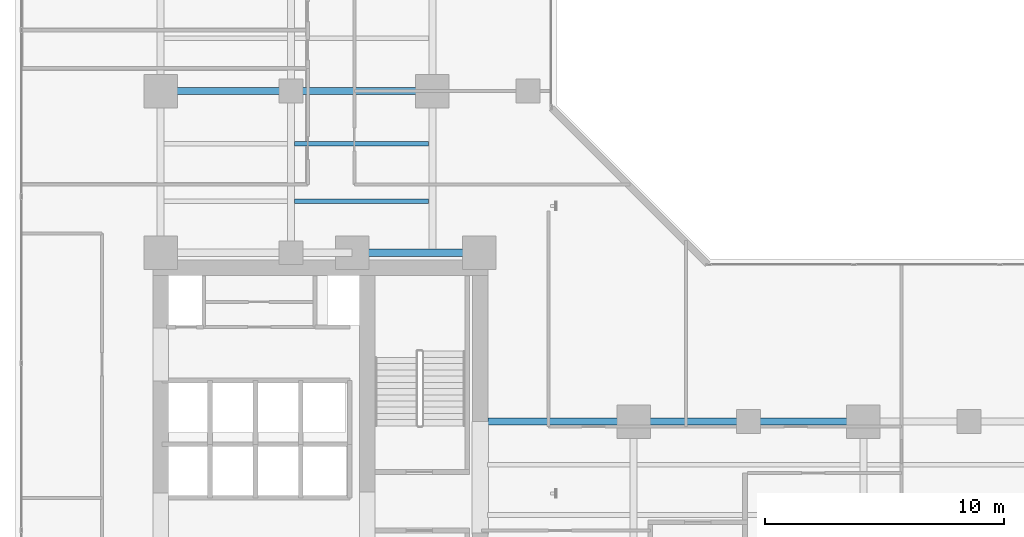
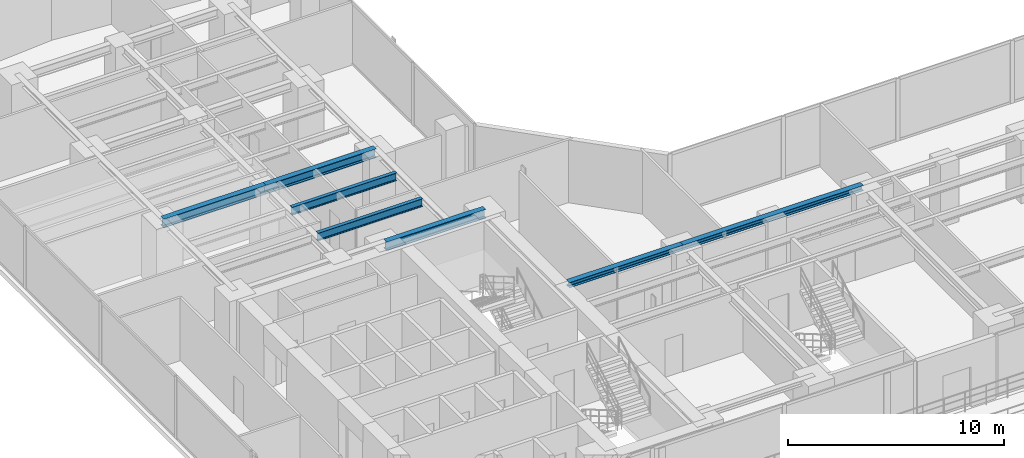
# One storey, part 7 of 26: 7 beams.
"""IFC4 building model written with IfcOpenShell, lengths in metres."""

import ifcopenshell
import ifcopenshell.guid

model = None  # the IFC model being written
_history = None  # IfcOwnerHistory: only IFC2X3 demands one
_inside = {}  # id of a spatial element -> (the spatial element, [elements in it])
_under = {}  # id of a project, library or spatial element -> (it, [spatial elements below it])
_declared = {}  # id of a project -> (the project, [libraries it declares])
_typed = {}  # id of a type object -> (the type object, [elements of that type])
_made_of = {}  # id of a material, layer set ... -> (it, [elements and type objects made of it])


def new_model(schema):
    """Start an empty IFC model of exactly this schema.

    Asked for "IFC4X3", IfcOpenShell would pick the latest addendum, in which some entities
    have other attributes; the version numbers below select the first issue.
    IFC2X3 requires an IfcOwnerHistory on every rooted entity: one is made here for all.
    """
    global model, _history
    if schema == "IFC4X3":
        model = ifcopenshell.file(schema_version=(4, 3, 0, 0))
    else:
        model = ifcopenshell.file(schema=schema)
    _inside.clear()
    _under.clear()
    _declared.clear()
    _typed.clear()
    _made_of.clear()
    _history = None
    if model.schema == "IFC2X3":
        org = make("IfcOrganization", Name="unknown")
        user = make(
            "IfcPersonAndOrganization",
            ThePerson=make("IfcPerson", FamilyName="unknown"),
            TheOrganization=org,
        )
        app = make(
            "IfcApplication",
            ApplicationDeveloper=org,
            Version="unknown",
            ApplicationFullName="unknown",
            ApplicationIdentifier="unknown",
        )
        _history = make(
            "IfcOwnerHistory",
            OwningUser=user,
            OwningApplication=app,
            ChangeAction="ADDED",
            CreationDate=0,
        )
    return model


def make(cls, **values):
    """One entity of the class cls with the attributes given. An attribute that is None is left unset."""
    return model.create_entity(
        cls, **{name: value for name, value in values.items() if value is not None}
    )


def rooted(cls, **values):
    """An entity with a GlobalId (a new one), such as an element, a storey or a relation."""
    return make(cls, GlobalId=ifcopenshell.guid.new(), OwnerHistory=_history, **values)


def si_unit(unit_type, name, prefix=None):
    """IfcSIUnit, for example si_unit("LENGTHUNIT", "METRE", prefix="MILLI")."""
    return make("IfcSIUnit", UnitType=unit_type, Prefix=prefix, Name=name)


def assignment(units):
    """IfcUnitAssignment: the units of a project."""
    return None if units is None else make("IfcUnitAssignment", Units=units)


def point(xyz):
    """IfcCartesianPoint."""
    return None if xyz is None else make("IfcCartesianPoint", Coordinates=xyz)


def direction(xyz):
    """IfcDirection."""
    return None if xyz is None else make("IfcDirection", DirectionRatios=xyz)


def frame(location, z_axis=None, x_axis=None):
    """IfcAxis2Placement3D, a coordinate frame: its origin and axes. An axis left out is left unset."""
    return make(
        "IfcAxis2Placement3D",
        Location=point(location),
        Axis=direction(z_axis),
        RefDirection=direction(x_axis),
    )


def frame_2d(location, x_axis=None):
    """IfcAxis2Placement2D, a coordinate frame in the plane: its origin and x axis."""
    return make(
        "IfcAxis2Placement2D", Location=point(location), RefDirection=direction(x_axis)
    )


def origin():
    """The frame at (0, 0, 0) with its axes left unset."""
    return frame((0.0, 0.0, 0.0))


def origin_2d():
    """The frame at (0, 0) in the plane with its x axis left unset."""
    return frame_2d((0.0, 0.0))


def place(relative_to, where):
    """IfcLocalPlacement: puts the frame where relative to a parent placement (None: the world)."""
    return make(
        "IfcLocalPlacement", PlacementRelTo=relative_to, RelativePlacement=where
    )


def context(
    kind, dimensions, precision=None, world=None, true_north=None, identifier=None
):
    """IfcGeometricRepresentationContext, for example the 3D "Model" context."""
    return make(
        "IfcGeometricRepresentationContext",
        ContextIdentifier=identifier,
        ContextType=kind,
        CoordinateSpaceDimension=dimensions,
        Precision=precision,
        WorldCoordinateSystem=world,
        TrueNorth=true_north,
    )


def subcontext(parent, identifier, kind, view, scale=None):
    """IfcGeometricRepresentationSubContext, for example "Body" below "Model"."""
    return make(
        "IfcGeometricRepresentationSubContext",
        ContextIdentifier=identifier,
        ContextType=kind,
        ParentContext=parent,
        TargetScale=scale,
        TargetView=view,
    )


def project(units=None, contexts=None):
    """IfcProject with its units and contexts."""
    return rooted(
        "IfcProject",
        Name="project",
        RepresentationContexts=contexts,
        UnitsInContext=assignment(units),
    )


def spatial(cls, under=None, at=None, **own):
    """A site, building, storey or space (cls), placed at a placement, below another one or the project."""
    s = rooted(cls, ObjectPlacement=at, **own)
    if under is not None:
        _under.setdefault(under.id(), (under, []))[1].append(s)
    return s


def profile(cls, at=None, kind="AREA", **sizes):
    """A parametric profile (cls). Its sizes go by their IFC names, for example OverallWidth=200.0."""
    return make(cls, ProfileType=kind, Position=at, **sizes)


def i_section(**sizes):
    """IfcIShapeProfileDef."""
    return profile("IfcIShapeProfileDef", **sizes)


def extrude(swept, where, along, depth):
    """IfcExtrudedAreaSolid: the profile swept, set in the frame where, extruded along a direction by depth."""
    return make(
        "IfcExtrudedAreaSolid",
        SweptArea=swept,
        Position=where,
        ExtrudedDirection=direction(along),
        Depth=depth,
    )


def shape(context_of_items, identifier, shape_type, items):
    """IfcShapeRepresentation: the items that make up one representation, for example the "Body"."""
    return make(
        "IfcShapeRepresentation",
        ContextOfItems=context_of_items,
        RepresentationIdentifier=identifier,
        RepresentationType=shape_type,
        Items=items,
    )


def material(Name=None, Category=None):
    """IfcMaterial."""
    return make("IfcMaterial", Name=Name, Category=Category)


def material_profile(
    of_material, cross_section, Name=None, Category=None, Priority=None
):
    """IfcMaterialProfile: a cross section and its material."""
    return make(
        "IfcMaterialProfile",
        Name=Name,
        Material=of_material,
        Profile=cross_section,
        Priority=Priority,
        Category=Category,
    )


def profile_set(profiles, Name=None, composite=None):
    """IfcMaterialProfileSet."""
    return make(
        "IfcMaterialProfileSet",
        Name=Name,
        MaterialProfiles=profiles,
        CompositeProfile=composite,
    )


def made_of(thing, what):
    """Note that an element or type object is made of a material, layer set ...; save() writes the relation."""
    if what is not None:
        _made_of.setdefault(what.id(), (what, []))[1].append(thing)
    return thing


def type_object(cls, material=None, **own):
    """A type object (cls), such as IfcWallType, which elements share."""
    return made_of(rooted(cls, **own), material)


def element(
    cls,
    number,
    at=None,
    inside=None,
    cuts=None,
    type_object=None,
    material=None,
    context=None,
    identifier="Body",
    shape_type=None,
    held_by="IfcProductDefinitionShape",
    body=None,
    shapes=None,
    **own,
):
    """One element of the class cls, such as IfcWall. Its Tag is "e" and its number.

    at: its placement. inside: the storey or other place that contains it. cuts: it is an
    opening in that element (IfcRelVoidsElement). A single representation is given by context,
    identifier, shape_type and body (its items); several are given by shapes. held_by: the class
    of the entity that holds the representations. save() writes the other relations.
    """
    e = rooted(cls, Tag="e%d" % number, ObjectPlacement=at, **own)
    if body is not None:
        shapes = [shape(context, identifier, shape_type, body)]
    if shapes is not None:
        e.Representation = make(held_by, Representations=shapes)
    if inside is not None:
        _inside.setdefault(inside.id(), (inside, []))[1].append(e)
    if cuts is not None:
        rooted(
            "IfcRelVoidsElement", RelatingBuildingElement=cuts, RelatedOpeningElement=e
        )
    if type_object is not None:
        _typed.setdefault(type_object.id(), (type_object, []))[1].append(e)
    return made_of(e, material)


def aggregate(whole, parts):
    """IfcRelAggregates: a whole, such as a stair, and the parts it consists of."""
    return rooted("IfcRelAggregates", RelatingObject=whole, RelatedObjects=parts)


def save(model, path):
    """Write the relations noted so far, then the file.

    IfcRelAggregates (storeys below a building ...), IfcRelContainedInSpatialStructure (elements
    in a storey), IfcRelDefinesByType, IfcRelAssociatesMaterial and IfcRelDeclares: one each for
    every whole, place, type object, material and project.
    """
    for whole, parts in _under.values():
        aggregate(whole, parts)
    for where, things in _inside.values():
        rooted(
            "IfcRelContainedInSpatialStructure",
            RelatedElements=things,
            RelatingStructure=where,
        )
    for kind, things in _typed.values():
        rooted("IfcRelDefinesByType", RelatedObjects=things, RelatingType=kind)
    for what, things in _made_of.values():
        rooted("IfcRelAssociatesMaterial", RelatedObjects=things, RelatingMaterial=what)
    for by, libraries in _declared.values():
        rooted("IfcRelDeclares", RelatingContext=by, RelatedDefinitions=libraries)
    model.write(path)


model = new_model("IFC4")

# Units and contexts
model_context = context("Model", 3, precision=1e-05, world=origin(), true_north=direction((0.0, 1.0)))
body_context = subcontext(model_context, "Body", "Model", "MODEL_VIEW")
ifc_project = project(units=[si_unit("LENGTHUNIT", "METRE"), si_unit("AREAUNIT", "SQUARE_METRE"), si_unit("VOLUMEUNIT", "CUBIC_METRE"), si_unit("PLANEANGLEUNIT", "RADIAN"), si_unit("MASSUNIT", "GRAM", prefix="KILO")], contexts=[model_context])

# Site, building, storey
site_placement = place(None, origin())
site = spatial("IfcSite", under=ifc_project, at=site_placement, CompositionType="ELEMENT")
building_placement = place(site_placement, origin())
building = spatial("IfcBuilding", under=site, at=building_placement, Name="Kolvaren Waterfront Exchange", CompositionType="ELEMENT")
storey_placement = place(building_placement, frame((0.0, 0.0, 87.89990234375)))
storey = spatial("IfcBuildingStorey", under=building, at=storey_placement, Name="L22", CompositionType="ELEMENT", Elevation=87.89990234375)

# Beams
ifc_material = material(Name="Steel S355", Category="steel")
ifc_material_profile_1 = material_profile(ifc_material, i_section(OverallWidth=0.300048828125, OverallDepth=0.300048828125, WebThickness=0.010986328125, FlangeThickness=0.01904296875, FilletRadius=0.027099609375, at=origin_2d()), Name="HEB300")
ifc_profile_set_1 = profile_set([ifc_material_profile_1], Name="Steel S355")
beam_type_1 = type_object("IfcBeamType", Name="STR-BM-HEB300", PredefinedType="SPANDREL", material=ifc_profile_set_1)
beam_1_placement = place(storey_placement, frame((21.125, 17.39990234375, 3.39013671875), z_axis=(1.0, 0.0, 0.0), x_axis=(0.0, 1.0, 0.0)))
element("IfcBeam", 1, at=beam_1_placement, inside=storey, type_object=beam_type_1, Name="L22 east-arm spandrel N1", PredefinedType="SPANDREL", context=body_context, shape_type="SweptSolid", body=[
    extrude(i_section(OverallWidth=0.300048828125, OverallDepth=0.300048828125, WebThickness=0.010986328125, FlangeThickness=0.01904296875, FilletRadius=0.027099609375, at=origin_2d()), origin(), (0.0, 0.0, 1.0), 6.074951171875),
])
beam_2_placement = place(storey_placement, frame((27.199951171875, 17.39990234375, 3.39013671875), z_axis=(1.0, 0.0, 0.0), x_axis=(0.0, 1.0, 0.0)))
element("IfcBeam", 2, at=beam_2_placement, inside=storey, type_object=beam_type_1, Name="L22 east-arm spandrel N2", PredefinedType="SPANDREL", context=body_context, shape_type="SweptSolid", body=[
    extrude(i_section(OverallWidth=0.300048828125, OverallDepth=0.300048828125, WebThickness=0.010986328125, FlangeThickness=0.01904296875, FilletRadius=0.027099609375, at=origin_2d()), origin(), (0.0, 0.0, 1.0), 9.60009765625),
])
ifc_material_profile_2 = material_profile(ifc_material, i_section(OverallWidth=0.300048828125, OverallDepth=0.5, WebThickness=0.014404296875, FlangeThickness=0.028076171875, FilletRadius=0.027099609375, at=origin_2d()), Name="HEB500")
ifc_profile_set_2 = profile_set([ifc_material_profile_2], Name="Steel S355")
beam_type_2 = type_object("IfcBeamType", Name="STR-BM-HEB500", PredefinedType="BEAM", material=ifc_profile_set_2)
beam_3_placement = place(storey_placement, frame((15.449951171875, 24.449951171875, 3.2900390625), z_axis=(1.0, 0.0, 0.0), x_axis=(0.0, 1.0, 0.0)))
element("IfcBeam", 3, at=beam_3_placement, inside=storey, type_object=beam_type_2, Name="L22 north-arm girder 1C", PredefinedType="BEAM", context=body_context, shape_type="SweptSolid", body=[
    extrude(i_section(OverallWidth=0.300048828125, OverallDepth=0.5, WebThickness=0.014404296875, FlangeThickness=0.028076171875, FilletRadius=0.027099609375, at=origin_2d()), origin(), (0.0, 0.0, 1.0), 5.300048828125),
])
beam_4_placement = place(storey_placement, frame((7.449951171875, 31.199951171875, 3.2900390625), z_axis=(1.0, 0.0, 0.0), x_axis=(0.0, 1.0, 0.0)))
element("IfcBeam", 4, at=beam_4_placement, inside=storey, type_object=beam_type_2, Name="L22 north-arm girder 2A", PredefinedType="BEAM", context=body_context, shape_type="SweptSolid", body=[
    extrude(i_section(OverallWidth=0.300048828125, OverallDepth=0.5, WebThickness=0.014404296875, FlangeThickness=0.028076171875, FilletRadius=0.027099609375, at=origin_2d()), origin(), (0.0, 0.0, 1.0), 5.449951171875),
])
beam_5_placement = place(storey_placement, frame((12.89990234375, 31.199951171875, 3.2900390625), z_axis=(1.0, 0.0, 0.0), x_axis=(0.0, 1.0, 0.0)))
element("IfcBeam", 5, at=beam_5_placement, inside=storey, type_object=beam_type_2, Name="L22 north-arm girder 2B", PredefinedType="BEAM", context=body_context, shape_type="SweptSolid", body=[
    extrude(i_section(OverallWidth=0.300048828125, OverallDepth=0.5, WebThickness=0.014404296875, FlangeThickness=0.028076171875, FilletRadius=0.027099609375, at=origin_2d()), origin(), (0.0, 0.0, 1.0), 5.900146484375),
])
ifc_material_profile_3 = material_profile(ifc_material, i_section(OverallWidth=0.18994140625, OverallDepth=0.449951171875, WebThickness=0.009521484375, FlangeThickness=0.0146484375, FilletRadius=0.02099609375, at=origin_2d()), Name="IPE450")
ifc_profile_set_3 = profile_set([ifc_material_profile_3], Name="Steel S355")
beam_type_3 = type_object("IfcBeamType", Name="STR-BM-IPE450", PredefinedType="JOIST", material=ifc_profile_set_3)
for number, where, z_axis, x_axis, name in (
    (6, (13.052001953125, 26.60009765625, 3.315185546875), (1.0, 0.0, 0.0), (0.0, 1.0, 0.0), "L22 north-arm composite joist 1B"),
    (7, (13.052001953125, 29.0, 3.315185546875), (1.0, 0.0, 0.0), (0.0, 1.0, 0.0), "L22 north-arm composite joist 2B"),
):
    element("IfcBeam", number, at=place(storey_placement, frame(where, z_axis=z_axis, x_axis=x_axis)), inside=storey, type_object=beam_type_3, Name=name, PredefinedType="JOIST", context=body_context, shape_type="SweptSolid", body=[
        extrude(i_section(OverallWidth=0.18994140625, OverallDepth=0.449951171875, WebThickness=0.009521484375, FlangeThickness=0.0146484375, FilletRadius=0.02099609375, at=origin_2d()), origin(), (0.0, 0.0, 1.0), 5.595947265625),
    ])

save(model, "model.ifc")
